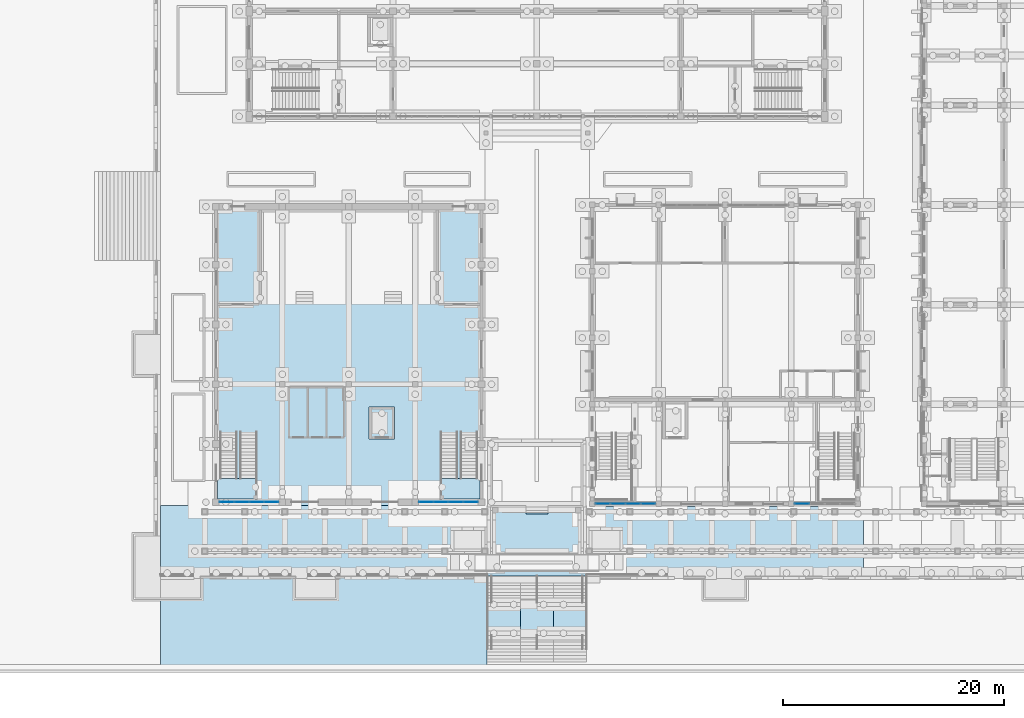
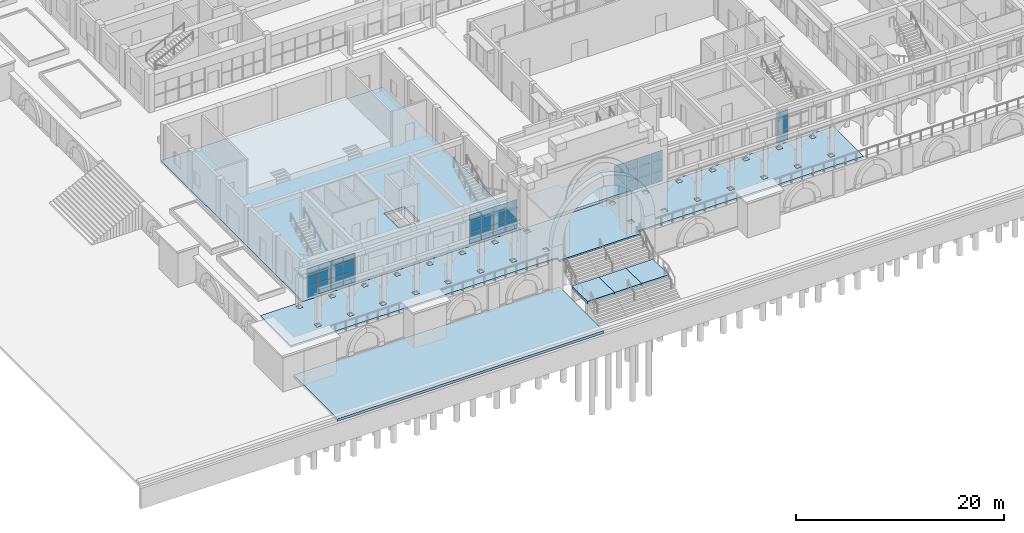
# One storey, part 40 of 161: 39 plates, 10 slabs, 9 elements without a shape of their own.
"""IFC4 building model written with IfcOpenShell, lengths in metres."""

from ifc_helpers import new_model, si_unit, direction, frame, origin, origin_2d, place, context, subcontext, project, spatial, polyline, rectangle, outline, extrude, material, layer, layer_set, type_object, element, aggregate, save


model = new_model("IFC4")

# Units and contexts
model_context = context("Model", 3, precision=1e-05, world=origin(), true_north=direction((0.0, 1.0)))
body_context = subcontext(model_context, "Body", "Model", "MODEL_VIEW")
ifc_project = project(units=[si_unit("LENGTHUNIT", "METRE"), si_unit("AREAUNIT", "SQUARE_METRE"), si_unit("VOLUMEUNIT", "CUBIC_METRE"), si_unit("PLANEANGLEUNIT", "RADIAN"), si_unit("MASSUNIT", "GRAM", prefix="KILO")], contexts=[model_context])

# Site, building, storey
site_placement = place(None, origin())
site = spatial("IfcSite", under=ifc_project, at=site_placement, CompositionType="ELEMENT")
building_placement = place(site_placement, origin())
building = spatial("IfcBuilding", under=site, at=building_placement, Name="Elbe Cascade School", CompositionType="ELEMENT")
storey_placement = place(building_placement, origin())
storey = spatial("IfcBuildingStorey", under=building, at=storey_placement, Name="L00", CompositionType="ELEMENT", Elevation=0.0)

# Curtain wall, plates
ifc_material_1 = material(Name="Assembly hall curtain wall")
curtain_wall_type_1 = type_object("IfcCurtainWallType", Name="Assembly hall curtain wall", PredefinedType="NOTDEFINED", material=ifc_material_1)
curtain_wall_1_placement = place(storey_placement, origin())
curtain_wall_1 = element("IfcCurtainWall", 1, at=curtain_wall_1_placement, inside=storey, type_object=curtain_wall_type_1, Name="Curtain wall CW8 AU.L00.cw.s0", PredefinedType="NOTDEFINED")
ifc_material_2 = material(Name="Glass - double glazed low-E", Category="glass")
ifc_layer_1 = layer(ifc_material_2, 0.028076171875)
ifc_layer_set_1 = layer_set([ifc_layer_1], Name="Glass - double glazed low-E")
plate_type_1 = type_object("IfcPlateType", Name="Assembly hall curtain wall glazing panel 28", PredefinedType="CURTAIN_PANEL", material=ifc_layer_set_1)
plate_1_placement = place(storey_placement, frame((5.989990234375, 6.14990234375, 0.06005859375), z_axis=(0.0, 0.0, 1.0), x_axis=(1.0, 0.0, 0.0)))
plate_1 = element("IfcPlate", 2, at=plate_1_placement, type_object=plate_type_1, Name="CW8 panel 1.1", PredefinedType="CURTAIN_PANEL", context=body_context, shape_type="SweptSolid", body=[
    extrude(rectangle(XDim=1.260009765625, YDim=0.028076171875, at=origin_2d()), origin(), (0.0, 0.0, 1.0), 1.260009765625),
])
plate_2_placement = place(storey_placement, frame((5.989990234375, 6.14990234375, 1.3798828125), z_axis=(0.0, 0.0, 1.0), x_axis=(1.0, 0.0, 0.0)))
plate_2 = element("IfcPlate", 3, at=plate_2_placement, type_object=plate_type_1, Name="CW8 panel 1.2", PredefinedType="CURTAIN_PANEL", context=body_context, shape_type="SweptSolid", body=[
    extrude(rectangle(XDim=1.260009765625, YDim=0.028076171875, at=origin_2d()), origin(), (0.0, 0.0, 1.0), 1.2900390625),
])
plate_3_placement = place(storey_placement, frame((5.989990234375, 6.14990234375, 2.72998046875), z_axis=(0.0, 0.0, 1.0), x_axis=(1.0, 0.0, 0.0)))
plate_3 = element("IfcPlate", 4, at=plate_3_placement, type_object=plate_type_1, Name="CW8 panel 1.3", PredefinedType="CURTAIN_PANEL", context=body_context, shape_type="SweptSolid", body=[
    extrude(rectangle(XDim=1.260009765625, YDim=0.028076171875, at=origin_2d()), origin(), (0.0, 0.0, 1.0), 0.7099609375),
])
plate_4_placement = place(storey_placement, frame((7.324951171875, 6.14990234375, 0.06005859375), z_axis=(0.0, 0.0, 1.0), x_axis=(1.0, 0.0, 0.0)))
plate_4 = element("IfcPlate", 5, at=plate_4_placement, type_object=plate_type_1, Name="CW8 panel 2.1", PredefinedType="CURTAIN_PANEL", context=body_context, shape_type="SweptSolid", body=[
    extrude(rectangle(XDim=1.2900390625, YDim=0.028076171875, at=origin_2d()), origin(), (0.0, 0.0, 1.0), 1.260009765625),
])
plate_5_placement = place(storey_placement, frame((7.324951171875, 6.14990234375, 1.3798828125), z_axis=(0.0, 0.0, 1.0), x_axis=(1.0, 0.0, 0.0)))
plate_5 = element("IfcPlate", 6, at=plate_5_placement, type_object=plate_type_1, Name="CW8 panel 2.2", PredefinedType="CURTAIN_PANEL", context=body_context, shape_type="SweptSolid", body=[
    extrude(rectangle(XDim=1.2900390625, YDim=0.028076171875, at=origin_2d()), origin(), (0.0, 0.0, 1.0), 1.2900390625),
])
plate_6_placement = place(storey_placement, frame((7.324951171875, 6.14990234375, 2.72998046875), z_axis=(0.0, 0.0, 1.0), x_axis=(1.0, 0.0, 0.0)))
plate_6 = element("IfcPlate", 7, at=plate_6_placement, type_object=plate_type_1, Name="CW8 panel 2.3", PredefinedType="CURTAIN_PANEL", context=body_context, shape_type="SweptSolid", body=[
    extrude(rectangle(XDim=1.2900390625, YDim=0.028076171875, at=origin_2d()), origin(), (0.0, 0.0, 1.0), 0.7099609375),
])
plate_7_placement = place(storey_placement, frame((8.675048828125, 6.14990234375, 0.06005859375), z_axis=(0.0, 0.0, 1.0), x_axis=(1.0, 0.0, 0.0)))
plate_7 = element("IfcPlate", 8, at=plate_7_placement, type_object=plate_type_1, Name="CW8 panel 3.1", PredefinedType="CURTAIN_PANEL", context=body_context, shape_type="SweptSolid", body=[
    extrude(rectangle(XDim=1.2900390625, YDim=0.028076171875, at=origin_2d()), origin(), (0.0, 0.0, 1.0), 1.260009765625),
])
plate_8_placement = place(storey_placement, frame((8.675048828125, 6.14990234375, 1.3798828125), z_axis=(0.0, 0.0, 1.0), x_axis=(1.0, 0.0, 0.0)))
plate_8 = element("IfcPlate", 9, at=plate_8_placement, type_object=plate_type_1, Name="CW8 panel 3.2", PredefinedType="CURTAIN_PANEL", context=body_context, shape_type="SweptSolid", body=[
    extrude(rectangle(XDim=1.2900390625, YDim=0.028076171875, at=origin_2d()), origin(), (0.0, 0.0, 1.0), 1.2900390625),
])
plate_9_placement = place(storey_placement, frame((8.675048828125, 6.14990234375, 2.72998046875), z_axis=(0.0, 0.0, 1.0), x_axis=(1.0, 0.0, 0.0)))
plate_9 = element("IfcPlate", 10, at=plate_9_placement, type_object=plate_type_1, Name="CW8 panel 3.3", PredefinedType="CURTAIN_PANEL", context=body_context, shape_type="SweptSolid", body=[
    extrude(rectangle(XDim=1.2900390625, YDim=0.028076171875, at=origin_2d()), origin(), (0.0, 0.0, 1.0), 0.7099609375),
])
plate_10_placement = place(storey_placement, frame((10.010009765625, 6.14990234375, 0.06005859375), z_axis=(0.0, 0.0, 1.0), x_axis=(1.0, 0.0, 0.0)))
plate_10 = element("IfcPlate", 11, at=plate_10_placement, type_object=plate_type_1, Name="CW8 panel 4.1", PredefinedType="CURTAIN_PANEL", context=body_context, shape_type="SweptSolid", body=[
    extrude(rectangle(XDim=1.260009765625, YDim=0.028076171875, at=origin_2d()), origin(), (0.0, 0.0, 1.0), 1.260009765625),
])
plate_11_placement = place(storey_placement, frame((10.010009765625, 6.14990234375, 1.3798828125), z_axis=(0.0, 0.0, 1.0), x_axis=(1.0, 0.0, 0.0)))
plate_11 = element("IfcPlate", 12, at=plate_11_placement, type_object=plate_type_1, Name="CW8 panel 4.2", PredefinedType="CURTAIN_PANEL", context=body_context, shape_type="SweptSolid", body=[
    extrude(rectangle(XDim=1.260009765625, YDim=0.028076171875, at=origin_2d()), origin(), (0.0, 0.0, 1.0), 1.2900390625),
])
plate_12_placement = place(storey_placement, frame((10.010009765625, 6.14990234375, 2.72998046875), z_axis=(0.0, 0.0, 1.0), x_axis=(1.0, 0.0, 0.0)))
plate_12 = element("IfcPlate", 13, at=plate_12_placement, type_object=plate_type_1, Name="CW8 panel 4.3", PredefinedType="CURTAIN_PANEL", context=body_context, shape_type="SweptSolid", body=[
    extrude(rectangle(XDim=1.260009765625, YDim=0.028076171875, at=origin_2d()), origin(), (0.0, 0.0, 1.0), 0.7099609375),
])
aggregate(curtain_wall_1, [plate_1, plate_2, plate_3, plate_4, plate_5, plate_6, plate_7, plate_8, plate_9, plate_10, plate_11, plate_12])

curtain_wall_2_placement = place(storey_placement, origin())
curtain_wall_2 = element("IfcCurtainWall", 14, at=curtain_wall_2_placement, inside=storey, type_object=curtain_wall_type_1, Name="Curtain wall CW8 AU.L00.cw.s3", PredefinedType="NOTDEFINED")
plate_13_placement = place(storey_placement, frame((23.989990234375, 6.14990234375, 0.06005859375), z_axis=(0.0, 0.0, 1.0), x_axis=(1.0, 0.0, 0.0)))
plate_13 = element("IfcPlate", 15, at=plate_13_placement, type_object=plate_type_1, Name="CW8 panel 1.1", PredefinedType="CURTAIN_PANEL", context=body_context, shape_type="SweptSolid", body=[
    extrude(rectangle(XDim=1.260009765625, YDim=0.028076171875, at=origin_2d()), origin(), (0.0, 0.0, 1.0), 1.260009765625),
])
plate_14_placement = place(storey_placement, frame((23.989990234375, 6.14990234375, 1.3798828125), z_axis=(0.0, 0.0, 1.0), x_axis=(1.0, 0.0, 0.0)))
plate_14 = element("IfcPlate", 16, at=plate_14_placement, type_object=plate_type_1, Name="CW8 panel 1.2", PredefinedType="CURTAIN_PANEL", context=body_context, shape_type="SweptSolid", body=[
    extrude(rectangle(XDim=1.260009765625, YDim=0.028076171875, at=origin_2d()), origin(), (0.0, 0.0, 1.0), 1.2900390625),
])
plate_15_placement = place(storey_placement, frame((23.989990234375, 6.14990234375, 2.72998046875), z_axis=(0.0, 0.0, 1.0), x_axis=(1.0, 0.0, 0.0)))
plate_15 = element("IfcPlate", 17, at=plate_15_placement, type_object=plate_type_1, Name="CW8 panel 1.3", PredefinedType="CURTAIN_PANEL", context=body_context, shape_type="SweptSolid", body=[
    extrude(rectangle(XDim=1.260009765625, YDim=0.028076171875, at=origin_2d()), origin(), (0.0, 0.0, 1.0), 0.7099609375),
])
plate_16_placement = place(storey_placement, frame((25.324951171875, 6.14990234375, 0.06005859375), z_axis=(0.0, 0.0, 1.0), x_axis=(1.0, 0.0, 0.0)))
plate_16 = element("IfcPlate", 18, at=plate_16_placement, type_object=plate_type_1, Name="CW8 panel 2.1", PredefinedType="CURTAIN_PANEL", context=body_context, shape_type="SweptSolid", body=[
    extrude(rectangle(XDim=1.2900390625, YDim=0.028076171875, at=origin_2d()), origin(), (0.0, 0.0, 1.0), 1.260009765625),
])
plate_17_placement = place(storey_placement, frame((25.324951171875, 6.14990234375, 1.3798828125), z_axis=(0.0, 0.0, 1.0), x_axis=(1.0, 0.0, 0.0)))
plate_17 = element("IfcPlate", 19, at=plate_17_placement, type_object=plate_type_1, Name="CW8 panel 2.2", PredefinedType="CURTAIN_PANEL", context=body_context, shape_type="SweptSolid", body=[
    extrude(rectangle(XDim=1.2900390625, YDim=0.028076171875, at=origin_2d()), origin(), (0.0, 0.0, 1.0), 1.2900390625),
])
plate_18_placement = place(storey_placement, frame((25.324951171875, 6.14990234375, 2.72998046875), z_axis=(0.0, 0.0, 1.0), x_axis=(1.0, 0.0, 0.0)))
plate_18 = element("IfcPlate", 20, at=plate_18_placement, type_object=plate_type_1, Name="CW8 panel 2.3", PredefinedType="CURTAIN_PANEL", context=body_context, shape_type="SweptSolid", body=[
    extrude(rectangle(XDim=1.2900390625, YDim=0.028076171875, at=origin_2d()), origin(), (0.0, 0.0, 1.0), 0.7099609375),
])
plate_19_placement = place(storey_placement, frame((26.675048828125, 6.14990234375, 0.06005859375), z_axis=(0.0, 0.0, 1.0), x_axis=(1.0, 0.0, 0.0)))
plate_19 = element("IfcPlate", 21, at=plate_19_placement, type_object=plate_type_1, Name="CW8 panel 3.1", PredefinedType="CURTAIN_PANEL", context=body_context, shape_type="SweptSolid", body=[
    extrude(rectangle(XDim=1.2900390625, YDim=0.028076171875, at=origin_2d()), origin(), (0.0, 0.0, 1.0), 1.260009765625),
])
plate_20_placement = place(storey_placement, frame((26.675048828125, 6.14990234375, 1.3798828125), z_axis=(0.0, 0.0, 1.0), x_axis=(1.0, 0.0, 0.0)))
plate_20 = element("IfcPlate", 22, at=plate_20_placement, type_object=plate_type_1, Name="CW8 panel 3.2", PredefinedType="CURTAIN_PANEL", context=body_context, shape_type="SweptSolid", body=[
    extrude(rectangle(XDim=1.2900390625, YDim=0.028076171875, at=origin_2d()), origin(), (0.0, 0.0, 1.0), 1.2900390625),
])
plate_21_placement = place(storey_placement, frame((26.675048828125, 6.14990234375, 2.72998046875), z_axis=(0.0, 0.0, 1.0), x_axis=(1.0, 0.0, 0.0)))
plate_21 = element("IfcPlate", 23, at=plate_21_placement, type_object=plate_type_1, Name="CW8 panel 3.3", PredefinedType="CURTAIN_PANEL", context=body_context, shape_type="SweptSolid", body=[
    extrude(rectangle(XDim=1.2900390625, YDim=0.028076171875, at=origin_2d()), origin(), (0.0, 0.0, 1.0), 0.7099609375),
])
plate_22_placement = place(storey_placement, frame((28.010009765625, 6.14990234375, 0.06005859375), z_axis=(0.0, 0.0, 1.0), x_axis=(1.0, 0.0, 0.0)))
plate_22 = element("IfcPlate", 24, at=plate_22_placement, type_object=plate_type_1, Name="CW8 panel 4.1", PredefinedType="CURTAIN_PANEL", context=body_context, shape_type="SweptSolid", body=[
    extrude(rectangle(XDim=1.260009765625, YDim=0.028076171875, at=origin_2d()), origin(), (0.0, 0.0, 1.0), 1.260009765625),
])
plate_23_placement = place(storey_placement, frame((28.010009765625, 6.14990234375, 1.3798828125), z_axis=(0.0, 0.0, 1.0), x_axis=(1.0, 0.0, 0.0)))
plate_23 = element("IfcPlate", 25, at=plate_23_placement, type_object=plate_type_1, Name="CW8 panel 4.2", PredefinedType="CURTAIN_PANEL", context=body_context, shape_type="SweptSolid", body=[
    extrude(rectangle(XDim=1.260009765625, YDim=0.028076171875, at=origin_2d()), origin(), (0.0, 0.0, 1.0), 1.2900390625),
])
plate_24_placement = place(storey_placement, frame((28.010009765625, 6.14990234375, 2.72998046875), z_axis=(0.0, 0.0, 1.0), x_axis=(1.0, 0.0, 0.0)))
plate_24 = element("IfcPlate", 26, at=plate_24_placement, type_object=plate_type_1, Name="CW8 panel 4.3", PredefinedType="CURTAIN_PANEL", context=body_context, shape_type="SweptSolid", body=[
    extrude(rectangle(XDim=1.260009765625, YDim=0.028076171875, at=origin_2d()), origin(), (0.0, 0.0, 1.0), 0.7099609375),
])
aggregate(curtain_wall_2, [plate_13, plate_14, plate_15, plate_16, plate_17, plate_18, plate_19, plate_20, plate_21, plate_22, plate_23, plate_24])

# Slabs
ifc_material_3 = material(Name="Concrete C30/37", Category="concrete")
ifc_layer_2 = layer(ifc_material_3, 0.300048828125)
ifc_layer_set_2 = layer_set([ifc_layer_2], Name="Concrete C30/37")
slab_type_1 = type_object("IfcSlabType", Name="Assembly hall ground slab 300", PredefinedType="BASESLAB", material=ifc_layer_set_2)
slab_1_placement = place(storey_placement, frame((0.0, 0.0, -0.300048828125)))
element("IfcSlab", 27, at=slab_1_placement, inside=storey, type_object=slab_type_1, Name="Assembly hall ground slab 300 S13", PredefinedType="BASESLAB", context=body_context, shape_type="SweptSolid", body=[
    extrude(outline(polyline([(4.699951171875, 5.85009765625), (4.699951171875, 33.14990234375), (29.300048828125, 33.14990234375), (29.300048828125, 5.85009765625), (4.699951171875, 5.85009765625)]), holes=[polyline([(21.14990234375, 14.75), (18.85009765625, 14.75), (18.85009765625, 11.85009765625), (21.14990234375, 11.85009765625), (21.14990234375, 14.75)])]), origin(), (0.0, 0.0, 1.0), 0.300048828125),
])
ifc_material_4 = material(Name="Concrete C30/37", Category="concrete")
ifc_layer_3 = layer(ifc_material_4, 0.300048828125)
ifc_layer_set_3 = layer_set([ifc_layer_3], Name="Concrete C30/37")
slab_type_2 = type_object("IfcSlabType", Name="Assembly hall lift pit slab 300", PredefinedType="BASESLAB", material=ifc_layer_set_3)
slab_2_placement = place(storey_placement, frame((0.0, 0.0, -1.60009765625)))
element("IfcSlab", 28, at=slab_2_placement, inside=storey, type_object=slab_type_2, Name="Assembly hall lift pit slab 300 S14", PredefinedType="BASESLAB", context=body_context, shape_type="SweptSolid", body=[
    extrude(outline(polyline([(21.14990234375, 11.85009765625), (21.14990234375, 14.75), (18.85009765625, 14.75), (18.85009765625, 11.85009765625), (21.14990234375, 11.85009765625)])), origin(), (0.0, 0.0, 1.0), 0.300048828125),
])

# Stair, slab
ifc_material_5 = material(Name="Concrete C30/37", Category="concrete")
stair_type_1 = type_object("IfcStairType", Name="Assembly hall dogleg stair", PredefinedType="HALF_TURN_STAIR", material=ifc_material_5)
stair_1_placement = place(storey_placement, origin())
stair_1 = element("IfcStair", 29, at=stair_1_placement, inside=storey, type_object=stair_type_1, Name="Assembly hall dogleg stair ST5", PredefinedType="HALF_TURN_STAIR")
ifc_material_6 = material(Name="Concrete C30/37", Category="concrete")
ifc_layer_4 = layer(ifc_material_6, 0.199951171875)
ifc_layer_set_4 = layer_set([ifc_layer_4], Name="Concrete C30/37")
slab_type_3 = type_object("IfcSlabType", Name="Assembly hall stair landing", PredefinedType="LANDING", material=ifc_layer_set_4)
slab_3_placement = place(storey_placement, frame((0.0, 0.0, 2.050048828125)))
slab_3 = element("IfcSlab", 30, at=slab_3_placement, type_object=slab_type_3, Name="ST5 landing 1", PredefinedType="LANDING", context=body_context, shape_type="SweptSolid", body=[
    extrude(outline(polyline([(5.14990234375, 6.449951171875), (8.699951171875, 6.449951171875), (8.699951171875, 8.300048828125), (5.14990234375, 8.300048828125), (5.14990234375, 6.449951171875)])), origin(), (0.0, 0.0, 1.0), 0.199951171875),
])
aggregate(stair_1, [slab_3])

stair_2_placement = place(storey_placement, origin())
stair_2 = element("IfcStair", 31, at=stair_2_placement, inside=storey, type_object=stair_type_1, Name="Assembly hall dogleg stair ST5", PredefinedType="HALF_TURN_STAIR")
slab_4_placement = place(storey_placement, frame((0.0, 0.0, 2.050048828125)))
slab_4 = element("IfcSlab", 32, at=slab_4_placement, type_object=slab_type_3, Name="ST5 landing 1", PredefinedType="LANDING", context=body_context, shape_type="SweptSolid", body=[
    extrude(outline(polyline([(25.300048828125, 6.449951171875), (28.85009765625, 6.449951171875), (28.85009765625, 8.300048828125), (25.300048828125, 8.300048828125), (25.300048828125, 6.449951171875)])), origin(), (0.0, 0.0, 1.0), 0.199951171875),
])
aggregate(stair_2, [slab_4])

# Curtain wall, plates
ifc_material_7 = material(Name="Cafe curtain wall")
curtain_wall_type_2 = type_object("IfcCurtainWallType", Name="Cafe curtain wall", PredefinedType="NOTDEFINED", material=ifc_material_7)
curtain_wall_3_placement = place(storey_placement, origin())
curtain_wall_3 = element("IfcCurtainWall", 33, at=curtain_wall_3_placement, inside=storey, type_object=curtain_wall_type_2, Name="Curtain wall CW1 DI.L00.cw.s0", PredefinedType="NOTDEFINED")
ifc_material_8 = material(Name="Glass - double glazed low-E", Category="glass")
ifc_layer_5 = layer(ifc_material_8, 0.028076171875)
ifc_layer_set_5 = layer_set([ifc_layer_5], Name="Glass - double glazed low-E")
plate_type_2 = type_object("IfcPlateType", Name="Cafe curtain wall glazing panel 28", PredefinedType="CURTAIN_PANEL", material=ifc_layer_set_5)
plate_25_placement = place(storey_placement, frame((39.952392578125, 6.0, 0.06005859375), z_axis=(0.0, 0.0, 1.0), x_axis=(1.0, 0.0, 0.0)))
plate_25 = element("IfcPlate", 34, at=plate_25_placement, type_object=plate_type_2, Name="CW1 panel 1.1", PredefinedType="CURTAIN_PANEL", context=body_context, shape_type="SweptSolid", body=[
    extrude(rectangle(XDim=1.284912109375, YDim=0.028076171875, at=origin_2d()), origin(), (0.0, 0.0, 1.0), 1.260009765625),
])
plate_26_placement = place(storey_placement, frame((39.952392578125, 6.0, 1.3798828125), z_axis=(0.0, 0.0, 1.0), x_axis=(1.0, 0.0, 0.0)))
plate_26 = element("IfcPlate", 35, at=plate_26_placement, type_object=plate_type_2, Name="CW1 panel 1.2", PredefinedType="CURTAIN_PANEL", context=body_context, shape_type="SweptSolid", body=[
    extrude(rectangle(XDim=1.284912109375, YDim=0.028076171875, at=origin_2d()), origin(), (0.0, 0.0, 1.0), 1.2900390625),
])
plate_27_placement = place(storey_placement, frame((39.952392578125, 6.0, 2.72998046875), z_axis=(0.0, 0.0, 1.0), x_axis=(1.0, 0.0, 0.0)))
plate_27 = element("IfcPlate", 36, at=plate_27_placement, type_object=plate_type_2, Name="CW1 panel 1.3", PredefinedType="CURTAIN_PANEL", context=body_context, shape_type="SweptSolid", body=[
    extrude(rectangle(XDim=1.284912109375, YDim=0.028076171875, at=origin_2d()), origin(), (0.0, 0.0, 1.0), 0.9599609375),
])
plate_28_placement = place(storey_placement, frame((41.3125, 6.0, 0.06005859375), z_axis=(0.0, 0.0, 1.0), x_axis=(1.0, 0.0, 0.0)))
plate_28 = element("IfcPlate", 37, at=plate_28_placement, type_object=plate_type_2, Name="CW1 panel 2.1", PredefinedType="CURTAIN_PANEL", context=body_context, shape_type="SweptSolid", body=[
    extrude(rectangle(XDim=1.31494140625, YDim=0.028076171875, at=origin_2d()), origin(), (0.0, 0.0, 1.0), 1.260009765625),
])
plate_29_placement = place(storey_placement, frame((41.3125, 6.0, 1.3798828125), z_axis=(0.0, 0.0, 1.0), x_axis=(1.0, 0.0, 0.0)))
plate_29 = element("IfcPlate", 38, at=plate_29_placement, type_object=plate_type_2, Name="CW1 panel 2.2", PredefinedType="CURTAIN_PANEL", context=body_context, shape_type="SweptSolid", body=[
    extrude(rectangle(XDim=1.31494140625, YDim=0.028076171875, at=origin_2d()), origin(), (0.0, 0.0, 1.0), 1.2900390625),
])
plate_30_placement = place(storey_placement, frame((41.3125, 6.0, 2.72998046875), z_axis=(0.0, 0.0, 1.0), x_axis=(1.0, 0.0, 0.0)))
plate_30 = element("IfcPlate", 39, at=plate_30_placement, type_object=plate_type_2, Name="CW1 panel 2.3", PredefinedType="CURTAIN_PANEL", context=body_context, shape_type="SweptSolid", body=[
    extrude(rectangle(XDim=1.31494140625, YDim=0.028076171875, at=origin_2d()), origin(), (0.0, 0.0, 1.0), 0.9599609375),
])
plate_31_placement = place(storey_placement, frame((42.6875, 6.0, 0.06005859375), z_axis=(0.0, 0.0, 1.0), x_axis=(1.0, 0.0, 0.0)))
plate_31 = element("IfcPlate", 40, at=plate_31_placement, type_object=plate_type_2, Name="CW1 panel 3.1", PredefinedType="CURTAIN_PANEL", context=body_context, shape_type="SweptSolid", body=[
    extrude(rectangle(XDim=1.31494140625, YDim=0.028076171875, at=origin_2d()), origin(), (0.0, 0.0, 1.0), 1.260009765625),
])
plate_32_placement = place(storey_placement, frame((42.6875, 6.0, 1.3798828125), z_axis=(0.0, 0.0, 1.0), x_axis=(1.0, 0.0, 0.0)))
plate_32 = element("IfcPlate", 41, at=plate_32_placement, type_object=plate_type_2, Name="CW1 panel 3.2", PredefinedType="CURTAIN_PANEL", context=body_context, shape_type="SweptSolid", body=[
    extrude(rectangle(XDim=1.31494140625, YDim=0.028076171875, at=origin_2d()), origin(), (0.0, 0.0, 1.0), 1.2900390625),
])
plate_33_placement = place(storey_placement, frame((42.6875, 6.0, 2.72998046875), z_axis=(0.0, 0.0, 1.0), x_axis=(1.0, 0.0, 0.0)))
plate_33 = element("IfcPlate", 42, at=plate_33_placement, type_object=plate_type_2, Name="CW1 panel 3.3", PredefinedType="CURTAIN_PANEL", context=body_context, shape_type="SweptSolid", body=[
    extrude(rectangle(XDim=1.31494140625, YDim=0.028076171875, at=origin_2d()), origin(), (0.0, 0.0, 1.0), 0.9599609375),
])
plate_34_placement = place(storey_placement, frame((44.047607421875, 6.0, 0.06005859375), z_axis=(0.0, 0.0, 1.0), x_axis=(1.0, 0.0, 0.0)))
plate_34 = element("IfcPlate", 43, at=plate_34_placement, type_object=plate_type_2, Name="CW1 panel 4.1", PredefinedType="CURTAIN_PANEL", context=body_context, shape_type="SweptSolid", body=[
    extrude(rectangle(XDim=1.284912109375, YDim=0.028076171875, at=origin_2d()), origin(), (0.0, 0.0, 1.0), 1.260009765625),
])
plate_35_placement = place(storey_placement, frame((44.047607421875, 6.0, 1.3798828125), z_axis=(0.0, 0.0, 1.0), x_axis=(1.0, 0.0, 0.0)))
plate_35 = element("IfcPlate", 44, at=plate_35_placement, type_object=plate_type_2, Name="CW1 panel 4.2", PredefinedType="CURTAIN_PANEL", context=body_context, shape_type="SweptSolid", body=[
    extrude(rectangle(XDim=1.284912109375, YDim=0.028076171875, at=origin_2d()), origin(), (0.0, 0.0, 1.0), 1.2900390625),
])
plate_36_placement = place(storey_placement, frame((44.047607421875, 6.0, 2.72998046875), z_axis=(0.0, 0.0, 1.0), x_axis=(1.0, 0.0, 0.0)))
plate_36 = element("IfcPlate", 45, at=plate_36_placement, type_object=plate_type_2, Name="CW1 panel 4.3", PredefinedType="CURTAIN_PANEL", context=body_context, shape_type="SweptSolid", body=[
    extrude(rectangle(XDim=1.284912109375, YDim=0.028076171875, at=origin_2d()), origin(), (0.0, 0.0, 1.0), 0.9599609375),
])
aggregate(curtain_wall_3, [plate_25, plate_26, plate_27, plate_28, plate_29, plate_30, plate_31, plate_32, plate_33, plate_34, plate_35, plate_36])

curtain_wall_4_placement = place(storey_placement, origin())
curtain_wall_4 = element("IfcCurtainWall", 46, at=curtain_wall_4_placement, inside=storey, type_object=curtain_wall_type_2, Name="Curtain wall CW1 DI.L00.cw.s3", PredefinedType="NOTDEFINED")
plate_37_placement = place(storey_placement, frame((57.952392578125, 6.0, 0.06005859375), z_axis=(0.0, 0.0, 1.0), x_axis=(1.0, 0.0, 0.0)))
plate_37 = element("IfcPlate", 47, at=plate_37_placement, type_object=plate_type_2, Name="CW1 panel 1.1", PredefinedType="CURTAIN_PANEL", context=body_context, shape_type="SweptSolid", body=[
    extrude(rectangle(XDim=1.284912109375, YDim=0.028076171875, at=origin_2d()), origin(), (0.0, 0.0, 1.0), 1.260009765625),
])
plate_38_placement = place(storey_placement, frame((57.952392578125, 6.0, 1.3798828125), z_axis=(0.0, 0.0, 1.0), x_axis=(1.0, 0.0, 0.0)))
plate_38 = element("IfcPlate", 48, at=plate_38_placement, type_object=plate_type_2, Name="CW1 panel 1.2", PredefinedType="CURTAIN_PANEL", context=body_context, shape_type="SweptSolid", body=[
    extrude(rectangle(XDim=1.284912109375, YDim=0.028076171875, at=origin_2d()), origin(), (0.0, 0.0, 1.0), 1.2900390625),
])
plate_39_placement = place(storey_placement, frame((57.952392578125, 6.0, 2.72998046875), z_axis=(0.0, 0.0, 1.0), x_axis=(1.0, 0.0, 0.0)))
plate_39 = element("IfcPlate", 49, at=plate_39_placement, type_object=plate_type_2, Name="CW1 panel 1.3", PredefinedType="CURTAIN_PANEL", context=body_context, shape_type="SweptSolid", body=[
    extrude(rectangle(XDim=1.284912109375, YDim=0.028076171875, at=origin_2d()), origin(), (0.0, 0.0, 1.0), 0.9599609375),
])
aggregate(curtain_wall_4, [plate_37, plate_38, plate_39])

# Slabs
ifc_material_9 = material(Name="Concrete C30/37", Category="concrete")
ifc_layer_6 = layer(ifc_material_9, 0.25)
ifc_layer_set_6 = layer_set([ifc_layer_6], Name="Concrete C30/37")
slab_type_4 = type_object("IfcSlabType", Name="Gate canopy slab 250", PredefinedType="ROOF", material=ifc_layer_set_6)
slab_5_placement = place(storey_placement, frame((0.0, 0.0, 3.64990234375)))
element("IfcSlab", 50, at=slab_5_placement, inside=storey, type_object=slab_type_4, Name="Gate canopy roof slab", PredefinedType="ROOF", context=body_context, shape_type="SweptSolid", body=[
    extrude(outline(polyline([(38.5, 5.699951171875), (38.5, 1.39990234375), (29.5, 1.39990234375), (29.5, 5.699951171875), (33.0, 5.699951171875), (33.0, 5.10009765625), (35.0, 5.10009765625), (35.0, 5.699951171875), (38.5, 5.699951171875)])), origin(), (0.0, 0.0, 1.0), 0.25),
])
ifc_material_10 = material(Name="Concrete C30/37", Category="concrete")
ifc_layer_7 = layer(ifc_material_10, 0.199951171875)
ifc_layer_set_7 = layer_set([ifc_layer_7], Name="Concrete C30/37")
slab_type_5 = type_object("IfcSlabType", Name="Paving slab 200", PredefinedType="BASESLAB", material=ifc_layer_set_7)
slab_6_placement = place(storey_placement, frame((0.0, 0.0, -0.199951171875)))
element("IfcSlab", 51, at=slab_6_placement, inside=storey, type_object=slab_type_5, Name="Colonnade walk paving west of the lane", PredefinedType="BASESLAB", context=body_context, shape_type="SweptSolid", body=[
    extrude(outline(polyline([(38.5, 0.0), (63.5, 0.0), (63.5, 5.85009765625), (63.25, 5.85009765625), (63.25, 5.75), (62.75, 5.75), (57.25, 5.75), (56.75, 5.75), (51.25, 5.75), (50.75, 5.75), (45.25, 5.75), (44.75, 5.75), (39.25, 5.75), (38.75, 5.75), (38.75, 5.85009765625), (29.300048828125, 5.85009765625), (4.699951171875, 5.85009765625), (0.0, 5.85009765625), (0.0, 0.0), (29.5, 0.0), (29.5, -0.5), (38.5, -0.5), (38.5, 0.0)]), holes=[polyline([(3.735107421875, 1.4599609375), (3.735107421875, 1.989990234375), (4.264892578125, 1.989990234375), (4.264892578125, 1.4599609375), (3.735107421875, 1.4599609375)]), polyline([(3.735107421875, 5.5400390625), (4.264892578125, 5.5400390625), (4.264892578125, 5.010009765625), (3.735107421875, 5.010009765625), (3.735107421875, 5.5400390625)]), polyline([(7.875732421875, 1.989990234375), (7.875732421875, 1.4599609375), (7.345703125, 1.4599609375), (7.345703125, 1.989990234375), (7.875732421875, 1.989990234375)]), polyline([(7.875732421875, 5.010009765625), (7.345703125, 5.010009765625), (7.345703125, 5.5400390625), (7.875732421875, 5.5400390625), (7.875732421875, 5.010009765625)]), polyline([(10.956298828125, 1.4599609375), (10.956298828125, 1.989990234375), (11.486328125, 1.989990234375), (11.486328125, 1.4599609375), (10.956298828125, 1.4599609375)]), polyline([(10.956298828125, 5.5400390625), (11.486328125, 5.5400390625), (11.486328125, 5.010009765625), (10.956298828125, 5.010009765625), (10.956298828125, 5.5400390625)]), polyline([(15.09716796875, 1.989990234375), (15.09716796875, 1.4599609375), (14.567138671875, 1.4599609375), (14.567138671875, 1.989990234375), (15.09716796875, 1.989990234375)]), polyline([(15.09716796875, 5.010009765625), (14.567138671875, 5.010009765625), (14.567138671875, 5.5400390625), (15.09716796875, 5.5400390625), (15.09716796875, 5.010009765625)]), polyline([(18.177978515625, 1.4599609375), (18.177978515625, 1.989990234375), (18.7080078125, 1.989990234375), (18.7080078125, 1.4599609375), (18.177978515625, 1.4599609375)]), polyline([(18.177978515625, 5.5400390625), (18.7080078125, 5.5400390625), (18.7080078125, 5.010009765625), (18.177978515625, 5.010009765625), (18.177978515625, 5.5400390625)]), polyline([(22.318603515625, 1.989990234375), (22.318603515625, 1.4599609375), (21.78857421875, 1.4599609375), (21.78857421875, 1.989990234375), (22.318603515625, 1.989990234375)]), polyline([(22.318603515625, 5.010009765625), (21.78857421875, 5.010009765625), (21.78857421875, 5.5400390625), (22.318603515625, 5.5400390625), (22.318603515625, 5.010009765625)]), polyline([(25.3994140625, 1.4599609375), (25.3994140625, 1.989990234375), (25.92919921875, 1.989990234375), (25.92919921875, 1.4599609375), (25.3994140625, 1.4599609375)]), polyline([(25.3994140625, 5.5400390625), (25.92919921875, 5.5400390625), (25.92919921875, 5.010009765625), (25.3994140625, 5.010009765625), (25.3994140625, 5.5400390625)]), polyline([(29.5400390625, 1.989990234375), (29.5400390625, 1.4599609375), (29.010009765625, 1.4599609375), (29.010009765625, 1.989990234375), (29.5400390625, 1.989990234375)]), polyline([(29.5400390625, 5.010009765625), (29.010009765625, 5.010009765625), (29.010009765625, 5.5400390625), (29.5400390625, 5.5400390625), (29.5400390625, 5.010009765625)]), polyline([(38.4599609375, 1.4599609375), (38.4599609375, 1.989990234375), (38.989990234375, 1.989990234375), (38.989990234375, 1.4599609375), (38.4599609375, 1.4599609375)]), polyline([(38.4599609375, 5.5400390625), (38.989990234375, 5.5400390625), (38.989990234375, 5.010009765625), (38.4599609375, 5.010009765625), (38.4599609375, 5.5400390625)]), polyline([(42.6650390625, 1.989990234375), (42.6650390625, 1.4599609375), (42.135009765625, 1.4599609375), (42.135009765625, 1.989990234375), (42.6650390625, 1.989990234375)]), polyline([(42.6650390625, 5.010009765625), (42.135009765625, 5.010009765625), (42.135009765625, 5.5400390625), (42.6650390625, 5.5400390625), (42.6650390625, 5.010009765625)]), polyline([(45.8349609375, 1.4599609375), (45.8349609375, 1.989990234375), (46.364990234375, 1.989990234375), (46.364990234375, 1.4599609375), (45.8349609375, 1.4599609375)]), polyline([(45.8349609375, 5.5400390625), (46.364990234375, 5.5400390625), (46.364990234375, 5.010009765625), (45.8349609375, 5.010009765625), (45.8349609375, 5.5400390625)]), polyline([(50.06494140625, 1.989990234375), (50.06494140625, 1.4599609375), (49.534912109375, 1.4599609375), (49.534912109375, 1.989990234375), (50.06494140625, 1.989990234375)]), polyline([(50.06494140625, 5.010009765625), (49.534912109375, 5.010009765625), (49.534912109375, 5.5400390625), (50.06494140625, 5.5400390625), (50.06494140625, 5.010009765625)]), polyline([(53.235107421875, 1.4599609375), (53.235107421875, 1.989990234375), (53.764892578125, 1.989990234375), (53.764892578125, 1.4599609375), (53.235107421875, 1.4599609375)]), polyline([(53.235107421875, 5.5400390625), (53.764892578125, 5.5400390625), (53.764892578125, 5.010009765625), (53.235107421875, 5.010009765625), (53.235107421875, 5.5400390625)]), polyline([(57.465087890625, 1.989990234375), (57.465087890625, 1.4599609375), (56.93505859375, 1.4599609375), (56.93505859375, 1.989990234375), (57.465087890625, 1.989990234375)]), polyline([(57.465087890625, 5.010009765625), (56.93505859375, 5.010009765625), (56.93505859375, 5.5400390625), (57.465087890625, 5.5400390625), (57.465087890625, 5.010009765625)]), polyline([(60.635009765625, 1.4599609375), (60.635009765625, 1.989990234375), (61.1650390625, 1.989990234375), (61.1650390625, 1.4599609375), (60.635009765625, 1.4599609375)]), polyline([(60.635009765625, 5.5400390625), (61.1650390625, 5.5400390625), (61.1650390625, 5.010009765625), (60.635009765625, 5.010009765625), (60.635009765625, 5.5400390625)])]), origin(), (0.0, 0.0, 1.0), 0.199951171875),
])
ifc_material_11 = material(Name="Concrete C30/37", Category="concrete")
ifc_layer_8 = layer(ifc_material_11, 0.300048828125)
ifc_layer_set_8 = layer_set([ifc_layer_8], Name="Concrete C30/37")
slab_type_6 = type_object("IfcSlabType", Name="Promenade slab 300", PredefinedType="BASESLAB", material=ifc_layer_set_8)
slab_7_placement = place(storey_placement, frame((0.0, 0.0, -3.39990234375)))
element("IfcSlab", 52, at=slab_7_placement, inside=storey, type_object=slab_type_6, Name="Lower promenade slab west 1", PredefinedType="BASESLAB", context=body_context, shape_type="SweptSolid", body=[
    extrude(outline(polyline([(29.5, -9.0), (29.5, -0.5), (0.0, -0.5), (0.0, -9.0), (29.5, -9.0)])), origin(), (0.0, 0.0, 1.0), 0.2998046875),
])

# Stair, slab
ifc_material_12 = material(Name="Concrete C30/37", Category="concrete")
stair_type_2 = type_object("IfcStairType", Name="River steps", PredefinedType="STRAIGHT_RUN_STAIR", material=ifc_material_12)
stair_3_placement = place(storey_placement, origin())
stair_3 = element("IfcStair", 53, at=stair_3_placement, inside=storey, type_object=stair_type_2, Name="River steps", PredefinedType="STRAIGHT_RUN_STAIR")
ifc_material_13 = material(Name="Concrete C30/37", Category="concrete")
ifc_layer_9 = layer(ifc_material_13, 0.300048828125)
ifc_layer_set_9 = layer_set([ifc_layer_9], Name="Concrete C30/37")
slab_type_7 = type_object("IfcSlabType", Name="River steps landing 300", PredefinedType="LANDING", material=ifc_layer_set_9)
slab_8_placement = place(storey_placement, frame((0.0, 0.0, -1.85009765625)))
slab_8 = element("IfcSlab", 54, at=slab_8_placement, type_object=slab_type_7, Name="ST1 landing 1", PredefinedType="LANDING", context=body_context, shape_type="SweptSolid", body=[
    extrude(outline(polyline([(29.5, -5.89990234375), (32.5, -5.89990234375), (32.5, -2.89990234375), (29.5, -2.89990234375), (29.5, -5.89990234375)])), origin(), (0.0, 0.0, 1.0), 0.300048828125),
])
aggregate(stair_3, [slab_8])

stair_4_placement = place(storey_placement, origin())
stair_4 = element("IfcStair", 55, at=stair_4_placement, inside=storey, type_object=stair_type_2, Name="River steps 2", PredefinedType="STRAIGHT_RUN_STAIR")
slab_9_placement = place(storey_placement, frame((0.0, 0.0, -1.85009765625)))
slab_9 = element("IfcSlab", 56, at=slab_9_placement, type_object=slab_type_7, Name="ST1 landing 1", PredefinedType="LANDING", context=body_context, shape_type="SweptSolid", body=[
    extrude(outline(polyline([(32.5, -5.89990234375), (35.5, -5.89990234375), (35.5, -2.89990234375), (32.5, -2.89990234375), (32.5, -5.89990234375)])), origin(), (0.0, 0.0, 1.0), 0.300048828125),
])
aggregate(stair_4, [slab_9])

stair_5_placement = place(storey_placement, origin())
stair_5 = element("IfcStair", 57, at=stair_5_placement, inside=storey, type_object=stair_type_2, Name="River steps 3", PredefinedType="STRAIGHT_RUN_STAIR")
slab_10_placement = place(storey_placement, frame((0.0, 0.0, -1.85009765625)))
slab_10 = element("IfcSlab", 58, at=slab_10_placement, type_object=slab_type_7, Name="ST1 landing 1", PredefinedType="LANDING", context=body_context, shape_type="SweptSolid", body=[
    extrude(outline(polyline([(35.5, -5.89990234375), (38.5, -5.89990234375), (38.5, -2.89990234375), (35.5, -2.89990234375), (35.5, -5.89990234375)])), origin(), (0.0, 0.0, 1.0), 0.300048828125),
])
aggregate(stair_5, [slab_10])

save(model, "model.ifc")
